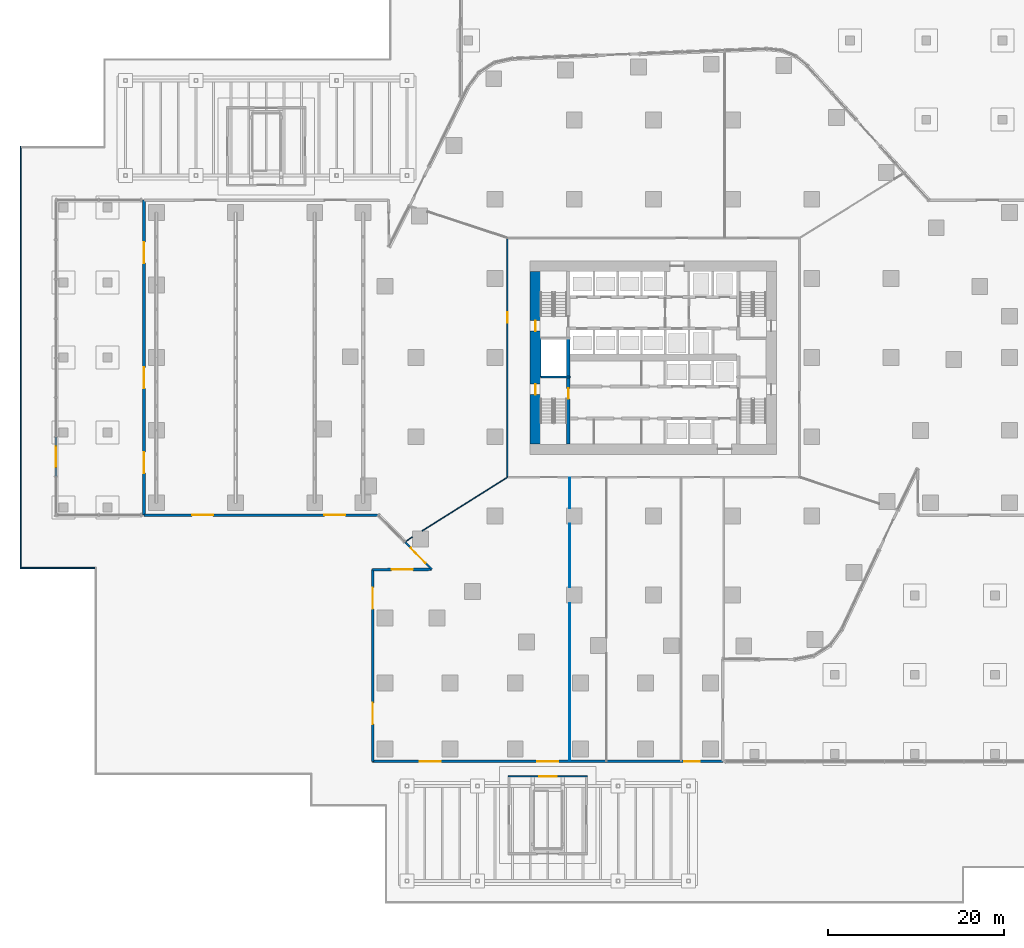
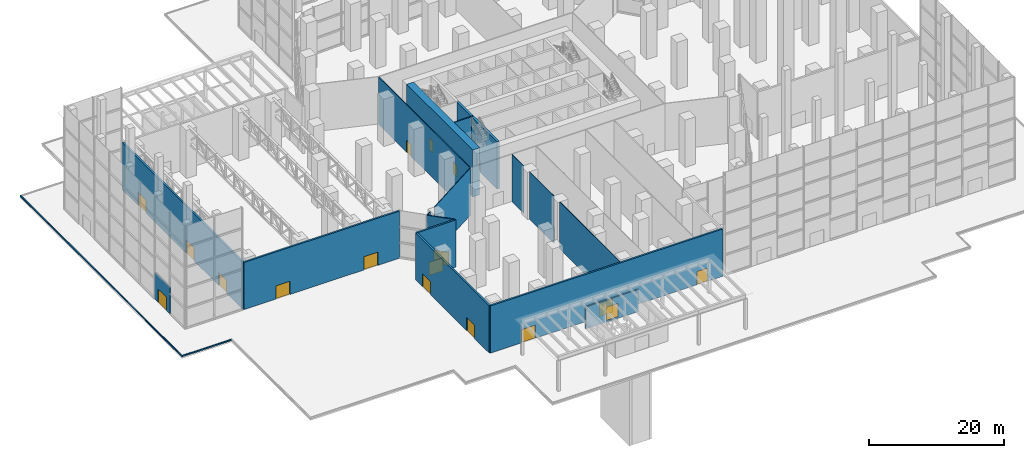
# One storey, part 28 of 40: 20 walls, 17 doors, 1 window, 18 openings.
"""IFC4 building model written with IfcOpenShell, lengths in metres."""

from ifc_helpers import new_model, si_unit, direction, frame, frame_2d, origin, place, context, subcontext, project, spatial, rectangle, extrude, material, layer, layer_set, type_object, element, fill, save


model = new_model("IFC4")

# Units and contexts
model_context = context("Model", 3, precision=1e-05, world=origin(), true_north=direction((0.0, 1.0)))
body_context = subcontext(model_context, "Body", "Model", "MODEL_VIEW")
ifc_project = project(units=[si_unit("LENGTHUNIT", "METRE"), si_unit("AREAUNIT", "SQUARE_METRE"), si_unit("VOLUMEUNIT", "CUBIC_METRE"), si_unit("PLANEANGLEUNIT", "RADIAN"), si_unit("MASSUNIT", "GRAM", prefix="KILO")], contexts=[model_context])

# Site, building, storey
site_placement = place(None, origin())
site = spatial("IfcSite", under=ifc_project, at=site_placement, CompositionType="ELEMENT")
building_placement = place(site_placement, origin())
building = spatial("IfcBuilding", under=site, at=building_placement, Name="Dongbaek Canopy Tower", CompositionType="ELEMENT")
storey_placement = place(building_placement, origin())
storey = spatial("IfcBuildingStorey", under=building, at=storey_placement, Name="L00", CompositionType="ELEMENT", Elevation=0.0)

# Wall, openings, doors
ifc_material_1 = material(Name="Concrete C60/75", Category="concrete")
ifc_layer_1 = layer(ifc_material_1, 1.199951171875)
ifc_layer_set_1 = layer_set([ifc_layer_1], Name="Core outer wall 1200 Concrete C60/75")
wall_type_1 = type_object("IfcWallType", Name="Core outer wall 1200 Concrete C60/75", PredefinedType="SHEAR", material=ifc_layer_set_1)
wall_1_placement = place(storey_placement, frame((-13.39990234375, -9.800048828125, 0.0), z_axis=(0.0, 0.0, 1.0), x_axis=(0.0, 1.0, 0.0)))
wall_1 = element("IfcWall", 1, at=wall_1_placement, inside=storey, type_object=wall_type_1, Name="Core wall", PredefinedType="SHEAR", context=body_context, shape_type="SweptSolid", body=[
    extrude(rectangle(XDim=19.60009765625, YDim=1.199951171875, at=frame_2d((9.800048828125, 0.0))), origin(), (0.0, 0.0, 1.0), 8.550048828125),
])
opening_1_placement = place(wall_1_placement, frame((12.800048828125, 0.0, 0.0)))
opening_1 = element("IfcOpeningElement", 2, at=opening_1_placement, cuts=wall_1, Name="Opening L00-D045", PredefinedType="OPENING", context=body_context, shape_type="SweptSolid", body=[
    extrude(rectangle(XDim=1.199951171875, YDim=2.10009765625, at=frame_2d((0.60009765625, 1.050048828125))), frame((0.0, 0.60986328125, 0.0), z_axis=(0.0, -1.0, 0.0), x_axis=(1.0, 0.0, 0.0)), (0.0, 0.0, 1.0), 1.219970703125),
])
opening_2_placement = place(wall_1_placement, frame((5.60009765625, 0.0, 0.0)))
opening_2 = element("IfcOpeningElement", 3, at=opening_2_placement, cuts=wall_1, Name="Opening L00-D046", PredefinedType="OPENING", context=body_context, shape_type="SweptSolid", body=[
    extrude(rectangle(XDim=1.199951171875, YDim=2.10009765625, at=frame_2d((0.60009765625, 1.050048828125))), frame((0.0, 0.60986328125, 0.0), z_axis=(0.0, -1.0, 0.0), x_axis=(1.0, 0.0, 0.0)), (0.0, 0.0, 1.0), 1.219970703125),
])
ifc_material_2 = material(Name="Steel", Category="steel")
door_type_1 = type_object("IfcDoorType", Name="Core stair exit door 1200 x 2100", OperationType="SINGLE_SWING_LEFT", PredefinedType="DOOR", material=ifc_material_2)
door_1_placement = place(opening_1_placement, origin())
door_1 = element("IfcDoor", 4, at=door_1_placement, inside=storey, type_object=door_type_1, Name="Stair C exit door", OperationType="SINGLE_SWING_LEFT", OverallHeight=2.10009765625, OverallWidth=1.199951171875, PredefinedType="DOOR", context=body_context, shape_type="SweptSolid", body=[
    extrude(rectangle(XDim=1.199951171875, YDim=2.10009765625, at=frame_2d((0.60009765625, 1.050048828125))), frame((0.0, 0.02490234375, 0.0), z_axis=(0.0, -1.0, 0.0), x_axis=(1.0, 0.0, 0.0)), (0.0, 0.0, 1.0), 0.050048828125),
])
fill(opening_1, door_1)
door_2_placement = place(opening_2_placement, origin())
door_2 = element("IfcDoor", 5, at=door_2_placement, inside=storey, type_object=door_type_1, Name="Stair D exit door", OperationType="SINGLE_SWING_LEFT", OverallHeight=2.10009765625, OverallWidth=1.199951171875, PredefinedType="DOOR", context=body_context, shape_type="SweptSolid", body=[
    extrude(rectangle(XDim=1.199951171875, YDim=2.10009765625, at=frame_2d((0.60009765625, 1.050048828125))), frame((0.0, 0.02490234375, 0.0), z_axis=(0.0, -1.0, 0.0), x_axis=(1.0, 0.0, 0.0)), (0.0, 0.0, 1.0), 0.050048828125),
])
fill(opening_2, door_2)

# Wall, opening, door
ifc_material_3 = material(Name="Aluminium window wall", Category="aluminium")
ifc_layer_2 = layer(ifc_material_3, 0.199951171875)
ifc_layer_set_2 = layer_set([ifc_layer_2], Name="Entrance wall 200")
wall_type_2 = type_object("IfcWallType", Name="Entrance wall 200", PredefinedType="SOLIDWALL", material=ifc_layer_set_2)
wall_2_placement = place(storey_placement, frame((-25.19775390625, -24.0771484375, 0.0), z_axis=(0.0, 0.0, 1.0), x_axis=(-0.698022531425, 0.716075796005, 0.0)))
wall_2 = element("IfcWall", 6, at=wall_2_placement, inside=storey, type_object=wall_type_2, Name="Entrance wall L00 F12 2", PredefinedType="SOLIDWALL", context=body_context, shape_type="SweptSolid", body=[
    extrude(rectangle(XDim=4.39501953125, YDim=0.199951171875, at=frame_2d((2.197509765625, 0.0))), origin(), (0.0, 0.0, 1.0), 8.550048828125),
])
opening_3_placement = place(wall_2_placement, frame((0.99755859375, 0.0, 0.0)))
opening_3 = element("IfcOpeningElement", 7, at=opening_3_placement, cuts=wall_2, Name="Opening L00-E07", PredefinedType="OPENING", context=body_context, shape_type="SweptSolid", body=[
    extrude(rectangle(XDim=2.39990234375, YDim=2.39990234375, at=frame_2d((1.199951171875, 1.199951171875))), frame((0.0, 0.10986328125, 0.0), z_axis=(0.0, -1.0, 0.0), x_axis=(1.0, 0.0, 0.0)), (0.0, 0.0, 1.0), 0.219970703125),
])
ifc_material_4 = material(Name="Clear glazing in aluminium frame", Category="aluminium")
door_type_2 = type_object("IfcDoorType", Name="Entrance door ED1 2400 x 2400", OperationType="DOUBLE_DOOR_SINGLE_SWING", PredefinedType="DOOR", material=ifc_material_4)
door_3_placement = place(opening_3_placement, origin())
door_3 = element("IfcDoor", 8, at=door_3_placement, inside=storey, type_object=door_type_2, Name="Exterior door L00-E07", OperationType="SINGLE_SWING_LEFT", OverallHeight=2.39990234375, OverallWidth=2.39990234375, PredefinedType="DOOR", context=body_context, shape_type="SweptSolid", body=[
    extrude(rectangle(XDim=2.39990234375, YDim=2.39990234375, at=frame_2d((1.199951171875, 1.199951171875))), frame((0.0, 0.02490234375, 0.0), z_axis=(0.0, -1.0, 0.0), x_axis=(1.0, 0.0, 0.0)), (0.0, 0.0, 1.0), 0.050048828125),
])
fill(opening_3, door_3)

# Wall, opening, window
wall_3_placement = place(storey_placement, frame((-16.5, -47.60009765625, 0.0), z_axis=(0.0, 0.0, 1.0), x_axis=(1.0, 0.0, 0.0)))
wall_3 = element("IfcWall", 9, at=wall_3_placement, inside=storey, type_object=wall_type_2, Name="Metro entrance A N wall", PredefinedType="SOLIDWALL", context=body_context, shape_type="SweptSolid", body=[
    extrude(rectangle(XDim=9.0, YDim=0.199951171875, at=frame_2d((4.5, 0.0))), origin(), (0.0, 0.0, 1.0), 4.0),
])
opening_4_placement = place(wall_3_placement, frame((3.5, 0.0, 0.300048828125)))
opening_4 = element("IfcOpeningElement", 10, at=opening_4_placement, cuts=wall_3, Name="Opening PW1", PredefinedType="OPENING", context=body_context, shape_type="SweptSolid", body=[
    extrude(rectangle(XDim=2.0, YDim=2.39990234375, at=frame_2d((1.0, 1.199951171875))), frame((0.0, 0.10986328125, 0.0), z_axis=(0.0, -1.0, 0.0), x_axis=(1.0, 0.0, 0.0)), (0.0, 0.0, 1.0), 0.219970703125),
])
ifc_material_5 = material(Name="Clear glazing in aluminium frame", Category="aluminium")
window_type = type_object("IfcWindowType", Name="Pavilion window PW1 2000 x 2400", PartitioningType="SINGLE_PANEL", PredefinedType="WINDOW", material=ifc_material_5)
window_placement = place(opening_4_placement, origin())
window = element("IfcWindow", 11, at=window_placement, inside=storey, type_object=window_type, Name="Metro entrance A window N", OverallHeight=2.39990234375, OverallWidth=2.0, PartitioningType="SINGLE_PANEL", PredefinedType="WINDOW", context=body_context, shape_type="SweptSolid", body=[
    extrude(rectangle(XDim=2.0, YDim=2.39990234375, at=frame_2d((1.0, 1.199951171875))), frame((0.0, 0.030029296875, 0.0), z_axis=(0.0, -1.0, 0.0), x_axis=(1.0, 0.0, 0.0)), (0.0, 0.0, 1.0), 0.06005859375),
])
fill(opening_4, window)

# Wall, opening, door
wall_4_placement = place(storey_placement, frame((-67.89990234375, -13.512451171875, 0.0), z_axis=(0.0, 0.0, 1.0), x_axis=(0.0, 1.0, 0.0)))
wall_4 = element("IfcWall", 12, at=wall_4_placement, inside=storey, type_object=wall_type_2, Name="Entrance wall L00 WW.7", PredefinedType="SOLIDWALL", context=body_context, shape_type="SweptSolid", body=[
    extrude(rectangle(XDim=4.487548828125, YDim=0.199951171875, at=frame_2d((2.24365234375, 0.0))), origin(), (0.0, 0.0, 1.0), 4.800048828125),
])
opening_5_placement = place(wall_4_placement, frame((1.043701171875, 0.0, 0.0)))
opening_5 = element("IfcOpeningElement", 13, at=opening_5_placement, cuts=wall_4, Name="Opening L00-P16", PredefinedType="OPENING", context=body_context, shape_type="SweptSolid", body=[
    extrude(rectangle(XDim=2.39990234375, YDim=2.39990234375, at=frame_2d((1.199951171875, 1.199951171875))), frame((0.0, 0.10986328125, 0.0), z_axis=(0.0, -1.0, 0.0), x_axis=(1.0, 0.0, 0.0)), (0.0, 0.0, 1.0), 0.219970703125),
])
door_4_placement = place(opening_5_placement, origin())
door_4 = element("IfcDoor", 14, at=door_4_placement, inside=storey, type_object=door_type_2, Name="Station entrance door L00-P16", OperationType="SINGLE_SWING_LEFT", OverallHeight=2.39990234375, OverallWidth=2.39990234375, PredefinedType="DOOR", context=body_context, shape_type="SweptSolid", body=[
    extrude(rectangle(XDim=2.39990234375, YDim=2.39990234375, at=frame_2d((1.199951171875, 1.199951171875))), frame((0.0, 0.02490234375, 0.0), z_axis=(0.0, -1.0, 0.0), x_axis=(1.0, 0.0, 0.0)), (0.0, 0.0, 1.0), 0.050048828125),
])
fill(opening_5, door_4)

ifc_material_6 = material(Name="Gypsum board partition, steel stud, 2 x 15 mm fire board", Category="steel")
ifc_layer_3 = layer(ifc_material_6, 0.14990234375)
ifc_layer_set_3 = layer_set([ifc_layer_3], Name="Fire-rated partition 150 gypsum board")
wall_type_3 = type_object("IfcWallType", Name="Fire-rated partition 150 gypsum board", PredefinedType="PARTITIONING", material=ifc_layer_set_3)
wall_5_placement = place(storey_placement, frame((-16.60009765625, -13.52490234375, 0.0), z_axis=(0.0, 0.0, 1.0), x_axis=(0.0, 1.0, 0.0)))
wall_5 = element("IfcWall", 15, at=wall_5_placement, inside=storey, type_object=wall_type_3, Name="Corridor partition", PredefinedType="PARTITIONING", context=body_context, shape_type="SweptSolid", body=[
    extrude(rectangle(XDim=27.0498046875, YDim=0.14990234375, at=frame_2d((13.52490234375, 0.0))), origin(), (0.0, 0.0, 1.0), 8.550048828125),
])
opening_6_placement = place(wall_5_placement, frame((17.467041015625, 0.0, 0.0)))
opening_6 = element("IfcOpeningElement", 16, at=opening_6_placement, cuts=wall_5, Name="Opening L00-D001", PredefinedType="OPENING", context=body_context, shape_type="SweptSolid", body=[
    extrude(rectangle(XDim=1.199951171875, YDim=2.10009765625, at=frame_2d((0.60009765625, 1.050048828125))), frame((0.0, 0.0849609375, 0.0), z_axis=(0.0, -1.0, 0.0), x_axis=(1.0, 0.0, 0.0)), (0.0, 0.0, 1.0), 0.169921875),
])
ifc_material_7 = material(Name="Timber veneered door leaf", Category="wood")
door_type_3 = type_object("IfcDoorType", Name="Room door 1200 x 2100", OperationType="SINGLE_SWING_LEFT", PredefinedType="DOOR", material=ifc_material_7)
door_5_placement = place(opening_6_placement, origin())
door_5 = element("IfcDoor", 17, at=door_5_placement, inside=storey, type_object=door_type_3, Name="Door L00-D001", OperationType="SINGLE_SWING_RIGHT", OverallHeight=2.10009765625, OverallWidth=1.199951171875, PredefinedType="DOOR", context=body_context, shape_type="SweptSolid", body=[
    extrude(rectangle(XDim=1.199951171875, YDim=2.10009765625, at=frame_2d((0.60009765625, 1.050048828125))), frame((0.0, 0.02490234375, 0.0), z_axis=(0.0, -1.0, 0.0), x_axis=(1.0, 0.0, 0.0)), (0.0, 0.0, 1.0), 0.050048828125),
])
fill(opening_6, door_5)

# Wall, openings, doors
ifc_material_8 = material(Name="Precast concrete C40/50 with pale metal cladding", Category="concrete")
ifc_layer_4 = layer(ifc_material_8, 0.300048828125)
ifc_layer_set_4 = layer_set([ifc_layer_4], Name="Hall wall 300")
wall_type_4 = type_object("IfcWallType", Name="Hall wall 300", PredefinedType="SOLIDWALL", material=ifc_layer_set_4)
wall_6_placement = place(storey_placement, frame((-57.89990234375, -17.89990234375, 0.0), z_axis=(0.0, 0.0, 1.0), x_axis=(0.0, 1.0, 0.0)))
wall_6 = element("IfcWall", 18, at=wall_6_placement, inside=storey, type_object=wall_type_4, Name="Hall wall L00 F10", PredefinedType="SOLIDWALL", context=body_context, shape_type="SweptSolid", body=[
    extrude(rectangle(XDim=35.7998046875, YDim=0.300048828125, at=frame_2d((17.89990234375, 0.0))), origin(), (0.0, 0.0, 1.0), 8.550048828125),
])
opening_7_placement = place(wall_6_placement, frame((28.63330078125, 0.0, 0.0)))
opening_7 = element("IfcOpeningElement", 19, at=opening_7_placement, cuts=wall_6, Name="Opening L00-X10", PredefinedType="OPENING", context=body_context, shape_type="SweptSolid", body=[
    extrude(rectangle(XDim=2.39990234375, YDim=2.39990234375, at=frame_2d((1.199951171875, 1.199951171875))), frame((0.0, 0.159912109375, 0.0), z_axis=(0.0, -1.0, 0.0), x_axis=(1.0, 0.0, 0.0)), (0.0, 0.0, 1.0), 0.320068359375),
])
opening_8_placement = place(wall_6_placement, frame((14.39990234375, 0.0, 0.0)))
opening_8 = element("IfcOpeningElement", 20, at=opening_8_placement, cuts=wall_6, Name="Opening L00-X11", PredefinedType="OPENING", context=body_context, shape_type="SweptSolid", body=[
    extrude(rectangle(XDim=2.39990234375, YDim=2.39990234375, at=frame_2d((1.199951171875, 1.199951171875))), frame((0.0, 0.159912109375, 0.0), z_axis=(0.0, -1.0, 0.0), x_axis=(1.0, 0.0, 0.0)), (0.0, 0.0, 1.0), 0.320068359375),
])
opening_9_placement = place(wall_6_placement, frame((4.7666015625, 0.0, 0.0)))
opening_9 = element("IfcOpeningElement", 21, at=opening_9_placement, cuts=wall_6, Name="Opening L00-X12", PredefinedType="OPENING", context=body_context, shape_type="SweptSolid", body=[
    extrude(rectangle(XDim=2.39990234375, YDim=2.39990234375, at=frame_2d((1.199951171875, 1.199951171875))), frame((0.0, 0.159912109375, 0.0), z_axis=(0.0, -1.0, 0.0), x_axis=(1.0, 0.0, 0.0)), (0.0, 0.0, 1.0), 0.320068359375),
])
door_6_placement = place(opening_7_placement, origin())
door_6 = element("IfcDoor", 22, at=door_6_placement, inside=storey, type_object=door_type_2, Name="Exterior door L00-X10", OperationType="SINGLE_SWING_LEFT", OverallHeight=2.39990234375, OverallWidth=2.39990234375, PredefinedType="DOOR", context=body_context, shape_type="SweptSolid", body=[
    extrude(rectangle(XDim=2.39990234375, YDim=2.39990234375, at=frame_2d((1.199951171875, 1.199951171875))), frame((0.0, 0.02490234375, 0.0), z_axis=(0.0, -1.0, 0.0), x_axis=(1.0, 0.0, 0.0)), (0.0, 0.0, 1.0), 0.050048828125),
])
fill(opening_7, door_6)
door_7_placement = place(opening_8_placement, origin())
door_7 = element("IfcDoor", 23, at=door_7_placement, inside=storey, type_object=door_type_2, Name="Exterior door L00-X11", OperationType="SINGLE_SWING_LEFT", OverallHeight=2.39990234375, OverallWidth=2.39990234375, PredefinedType="DOOR", context=body_context, shape_type="SweptSolid", body=[
    extrude(rectangle(XDim=2.39990234375, YDim=2.39990234375, at=frame_2d((1.199951171875, 1.199951171875))), frame((0.0, 0.02490234375, 0.0), z_axis=(0.0, -1.0, 0.0), x_axis=(1.0, 0.0, 0.0)), (0.0, 0.0, 1.0), 0.050048828125),
])
fill(opening_8, door_7)
door_8_placement = place(opening_9_placement, origin())
door_8 = element("IfcDoor", 24, at=door_8_placement, inside=storey, type_object=door_type_2, Name="Exterior door L00-X12", OperationType="SINGLE_SWING_LEFT", OverallHeight=2.39990234375, OverallWidth=2.39990234375, PredefinedType="DOOR", context=body_context, shape_type="SweptSolid", body=[
    extrude(rectangle(XDim=2.39990234375, YDim=2.39990234375, at=frame_2d((1.199951171875, 1.199951171875))), frame((0.0, 0.02490234375, 0.0), z_axis=(0.0, -1.0, 0.0), x_axis=(1.0, 0.0, 0.0)), (0.0, 0.0, 1.0), 0.050048828125),
])
fill(opening_9, door_8)

wall_7_placement = place(storey_placement, frame((-31.249755859375, -17.89990234375, 0.0), z_axis=(0.0, 0.0, 1.0), x_axis=(-1.0, 0.0, 0.0)))
wall_7 = element("IfcWall", 25, at=wall_7_placement, inside=storey, type_object=wall_type_4, Name="Hall wall L00 F11", PredefinedType="SOLIDWALL", context=body_context, shape_type="SweptSolid", body=[
    extrude(rectangle(XDim=26.650146484375, YDim=0.300048828125, at=frame_2d((13.3251953125, 0.0))), origin(), (0.0, 0.0, 1.0), 8.550048828125),
])
opening_10_placement = place(wall_7_placement, frame((18.78759765625, 0.0, 0.0)))
opening_10 = element("IfcOpeningElement", 26, at=opening_10_placement, cuts=wall_7, Name="Opening L00-X13", PredefinedType="OPENING", context=body_context, shape_type="SweptSolid", body=[
    extrude(rectangle(XDim=2.39990234375, YDim=2.39990234375, at=frame_2d((1.199951171875, 1.199951171875))), frame((0.0, 0.159912109375, 0.0), z_axis=(0.0, -1.0, 0.0), x_axis=(1.0, 0.0, 0.0)), (0.0, 0.0, 1.0), 0.320068359375),
])
opening_11_placement = place(wall_7_placement, frame((3.762451171875, 0.0, 0.0)))
opening_11 = element("IfcOpeningElement", 27, at=opening_11_placement, cuts=wall_7, Name="Opening L00-X14", PredefinedType="OPENING", context=body_context, shape_type="SweptSolid", body=[
    extrude(rectangle(XDim=2.39990234375, YDim=2.39990234375, at=frame_2d((1.199951171875, 1.199951171875))), frame((0.0, 0.159912109375, 0.0), z_axis=(0.0, -1.0, 0.0), x_axis=(1.0, 0.0, 0.0)), (0.0, 0.0, 1.0), 0.320068359375),
])
door_9_placement = place(opening_10_placement, origin())
door_9 = element("IfcDoor", 28, at=door_9_placement, inside=storey, type_object=door_type_2, Name="Exterior door L00-X13", OperationType="SINGLE_SWING_LEFT", OverallHeight=2.39990234375, OverallWidth=2.39990234375, PredefinedType="DOOR", context=body_context, shape_type="SweptSolid", body=[
    extrude(rectangle(XDim=2.39990234375, YDim=2.39990234375, at=frame_2d((1.199951171875, 1.199951171875))), frame((0.0, 0.02490234375, 0.0), z_axis=(0.0, -1.0, 0.0), x_axis=(1.0, 0.0, 0.0)), (0.0, 0.0, 1.0), 0.050048828125),
])
fill(opening_10, door_9)
door_10_placement = place(opening_11_placement, origin())
door_10 = element("IfcDoor", 29, at=door_10_placement, inside=storey, type_object=door_type_2, Name="Exterior door L00-X14", OperationType="SINGLE_SWING_LEFT", OverallHeight=2.39990234375, OverallWidth=2.39990234375, PredefinedType="DOOR", context=body_context, shape_type="SweptSolid", body=[
    extrude(rectangle(XDim=2.39990234375, YDim=2.39990234375, at=frame_2d((1.199951171875, 1.199951171875))), frame((0.0, 0.02490234375, 0.0), z_axis=(0.0, -1.0, 0.0), x_axis=(1.0, 0.0, 0.0)), (0.0, 0.0, 1.0), 0.050048828125),
])
fill(opening_11, door_10)

# Wall, opening, door
wall_8_placement = place(storey_placement, frame((-31.89990234375, -24.10009765625, 0.0), z_axis=(0.0, 0.0, 1.0), x_axis=(0.999994137621, 0.003424138458, 0.0)))
wall_8 = element("IfcWall", 30, at=wall_8_placement, inside=storey, type_object=wall_type_4, Name="Hall wall L00 F13", PredefinedType="SOLIDWALL", context=body_context, shape_type="SweptSolid", body=[
    extrude(rectangle(XDim=6.7021484375, YDim=0.300048828125, at=frame_2d((3.35107421875, 0.0))), origin(), (0.0, 0.0, 1.0), 8.550048828125),
])
opening_12_placement = place(wall_8_placement, frame((2.151123046875, 0.0, 0.0)))
opening_12 = element("IfcOpeningElement", 31, at=opening_12_placement, cuts=wall_8, Name="Opening L00-X15", PredefinedType="OPENING", context=body_context, shape_type="SweptSolid", body=[
    extrude(rectangle(XDim=2.39990234375, YDim=2.39990234375, at=frame_2d((1.199951171875, 1.199951171875))), frame((0.0, 0.159912109375, 0.0), z_axis=(0.0, -1.0, 0.0), x_axis=(1.0, 0.0, 0.0)), (0.0, 0.0, 1.0), 0.320068359375),
])
door_11_placement = place(opening_12_placement, origin())
door_11 = element("IfcDoor", 32, at=door_11_placement, inside=storey, type_object=door_type_2, Name="Exterior door L00-X15", OperationType="SINGLE_SWING_LEFT", OverallHeight=2.39990234375, OverallWidth=2.39990234375, PredefinedType="DOOR", context=body_context, shape_type="SweptSolid", body=[
    extrude(rectangle(XDim=2.39990234375, YDim=2.39990234375, at=frame_2d((1.199951171875, 1.199951171875))), frame((0.0, 0.02490234375, 0.0), z_axis=(0.0, -1.0, 0.0), x_axis=(1.0, 0.0, 0.0)), (0.0, 0.0, 1.0), 0.050048828125),
])
fill(opening_12, door_11)

# Wall, openings, doors
wall_9_placement = place(storey_placement, frame((-31.89990234375, -45.89990234375, 0.0), z_axis=(0.0, 0.0, 1.0), x_axis=(0.0, 1.0, 0.0)))
wall_9 = element("IfcWall", 33, at=wall_9_placement, inside=storey, type_object=wall_type_4, Name="Hall wall L00 F14", PredefinedType="SOLIDWALL", context=body_context, shape_type="SweptSolid", body=[
    extrude(rectangle(XDim=21.7998046875, YDim=0.300048828125, at=frame_2d((10.89990234375, 0.0))), origin(), (0.0, 0.0, 1.0), 8.550048828125),
])
opening_13_placement = place(wall_9_placement, frame((17.35009765625, 0.0, 0.0)))
opening_13 = element("IfcOpeningElement", 34, at=opening_13_placement, cuts=wall_9, Name="Opening L00-X16", PredefinedType="OPENING", context=body_context, shape_type="SweptSolid", body=[
    extrude(rectangle(XDim=2.39990234375, YDim=2.39990234375, at=frame_2d((1.199951171875, 1.199951171875))), frame((0.0, 0.159912109375, 0.0), z_axis=(0.0, -1.0, 0.0), x_axis=(1.0, 0.0, 0.0)), (0.0, 0.0, 1.0), 0.320068359375),
])
opening_14_placement = place(wall_9_placement, frame((4.25, 0.0, 0.0)))
opening_14 = element("IfcOpeningElement", 35, at=opening_14_placement, cuts=wall_9, Name="Opening L00-X17", PredefinedType="OPENING", context=body_context, shape_type="SweptSolid", body=[
    extrude(rectangle(XDim=2.39990234375, YDim=2.39990234375, at=frame_2d((1.199951171875, 1.199951171875))), frame((0.0, 0.159912109375, 0.0), z_axis=(0.0, -1.0, 0.0), x_axis=(1.0, 0.0, 0.0)), (0.0, 0.0, 1.0), 0.320068359375),
])
door_12_placement = place(opening_13_placement, origin())
door_12 = element("IfcDoor", 36, at=door_12_placement, inside=storey, type_object=door_type_2, Name="Exterior door L00-X16", OperationType="SINGLE_SWING_LEFT", OverallHeight=2.39990234375, OverallWidth=2.39990234375, PredefinedType="DOOR", context=body_context, shape_type="SweptSolid", body=[
    extrude(rectangle(XDim=2.39990234375, YDim=2.39990234375, at=frame_2d((1.199951171875, 1.199951171875))), frame((0.0, 0.02490234375, 0.0), z_axis=(0.0, -1.0, 0.0), x_axis=(1.0, 0.0, 0.0)), (0.0, 0.0, 1.0), 0.050048828125),
])
fill(opening_13, door_12)
door_13_placement = place(opening_14_placement, origin())
door_13 = element("IfcDoor", 37, at=door_13_placement, inside=storey, type_object=door_type_2, Name="Exterior door L00-X17", OperationType="SINGLE_SWING_LEFT", OverallHeight=2.39990234375, OverallWidth=2.39990234375, PredefinedType="DOOR", context=body_context, shape_type="SweptSolid", body=[
    extrude(rectangle(XDim=2.39990234375, YDim=2.39990234375, at=frame_2d((1.199951171875, 1.199951171875))), frame((0.0, 0.02490234375, 0.0), z_axis=(0.0, -1.0, 0.0), x_axis=(1.0, 0.0, 0.0)), (0.0, 0.0, 1.0), 0.050048828125),
])
fill(opening_14, door_13)

wall_10_placement = place(storey_placement, frame((7.89990234375, -45.89990234375, 0.0), z_axis=(0.0, 0.0, 1.0), x_axis=(-1.0, 0.0, 0.0)))
wall_10 = element("IfcWall", 38, at=wall_10_placement, inside=storey, type_object=wall_type_4, Name="Hall wall L00 F15", PredefinedType="SOLIDWALL", context=body_context, shape_type="SweptSolid", body=[
    extrude(rectangle(XDim=39.7998046875, YDim=0.300048828125, at=frame_2d((19.89990234375, 0.0))), origin(), (0.0, 0.0, 1.0), 8.550048828125),
])
opening_15_placement = place(wall_10_placement, frame((32.066650390625, 0.0, 0.0)))
opening_15 = element("IfcOpeningElement", 39, at=opening_15_placement, cuts=wall_10, Name="Opening L00-X18", PredefinedType="OPENING", context=body_context, shape_type="SweptSolid", body=[
    extrude(rectangle(XDim=2.39990234375, YDim=2.39990234375, at=frame_2d((1.199951171875, 1.199951171875))), frame((0.0, 0.159912109375, 0.0), z_axis=(0.0, -1.0, 0.0), x_axis=(1.0, 0.0, 0.0)), (0.0, 0.0, 1.0), 0.320068359375),
])
opening_16_placement = place(wall_10_placement, frame((18.699951171875, 0.0, 0.0)))
opening_16 = element("IfcOpeningElement", 40, at=opening_16_placement, cuts=wall_10, Name="Opening L00-X19", PredefinedType="OPENING", context=body_context, shape_type="SweptSolid", body=[
    extrude(rectangle(XDim=2.39990234375, YDim=2.39990234375, at=frame_2d((1.199951171875, 1.199951171875))), frame((0.0, 0.159912109375, 0.0), z_axis=(0.0, -1.0, 0.0), x_axis=(1.0, 0.0, 0.0)), (0.0, 0.0, 1.0), 0.320068359375),
])
opening_17_placement = place(wall_10_placement, frame((2.60009765625, 0.0, 0.0)))
opening_17 = element("IfcOpeningElement", 41, at=opening_17_placement, cuts=wall_10, Name="Opening L00-X20", PredefinedType="OPENING", context=body_context, shape_type="SweptSolid", body=[
    extrude(rectangle(XDim=1.800048828125, YDim=2.39990234375, at=frame_2d((0.89990234375, 1.199951171875))), frame((0.0, 0.159912109375, 0.0), z_axis=(0.0, -1.0, 0.0), x_axis=(1.0, 0.0, 0.0)), (0.0, 0.0, 1.0), 0.320068359375),
])
ifc_material_9 = material(Name="Clear glazing in aluminium frame", Category="aluminium")
door_type_4 = type_object("IfcDoorType", Name="Entrance door ED1 1799 x 2400", OperationType="DOUBLE_DOOR_SINGLE_SWING", PredefinedType="DOOR", material=ifc_material_9)
door_14_placement = place(opening_17_placement, origin())
door_14 = element("IfcDoor", 42, at=door_14_placement, inside=storey, type_object=door_type_4, Name="Exterior door L00-X20", OperationType="SINGLE_SWING_LEFT", OverallHeight=2.39990234375, OverallWidth=1.800048828125, PredefinedType="DOOR", context=body_context, shape_type="SweptSolid", body=[
    extrude(rectangle(XDim=1.800048828125, YDim=2.39990234375, at=frame_2d((0.89990234375, 1.199951171875))), frame((0.0, 0.02490234375, 0.0), z_axis=(0.0, -1.0, 0.0), x_axis=(1.0, 0.0, 0.0)), (0.0, 0.0, 1.0), 0.050048828125),
])
fill(opening_17, door_14)
door_15_placement = place(opening_15_placement, origin())
door_15 = element("IfcDoor", 43, at=door_15_placement, inside=storey, type_object=door_type_2, Name="Exterior door L00-X18", OperationType="SINGLE_SWING_LEFT", OverallHeight=2.39990234375, OverallWidth=2.39990234375, PredefinedType="DOOR", context=body_context, shape_type="SweptSolid", body=[
    extrude(rectangle(XDim=2.39990234375, YDim=2.39990234375, at=frame_2d((1.199951171875, 1.199951171875))), frame((0.0, 0.02490234375, 0.0), z_axis=(0.0, -1.0, 0.0), x_axis=(1.0, 0.0, 0.0)), (0.0, 0.0, 1.0), 0.050048828125),
])
fill(opening_15, door_15)
door_16_placement = place(opening_16_placement, origin())
door_16 = element("IfcDoor", 44, at=door_16_placement, inside=storey, type_object=door_type_2, Name="Exterior door L00-X19", OperationType="SINGLE_SWING_LEFT", OverallHeight=2.39990234375, OverallWidth=2.39990234375, PredefinedType="DOOR", context=body_context, shape_type="SweptSolid", body=[
    extrude(rectangle(XDim=2.39990234375, YDim=2.39990234375, at=frame_2d((1.199951171875, 1.199951171875))), frame((0.0, 0.02490234375, 0.0), z_axis=(0.0, -1.0, 0.0), x_axis=(1.0, 0.0, 0.0)), (0.0, 0.0, 1.0), 0.050048828125),
])
fill(opening_16, door_16)

# Walls
ifc_material_10 = material(Name="Gypsum board partition, steel stud, 2 x 12.5 mm board", Category="steel")
ifc_layer_5 = layer(ifc_material_10, 0.10009765625)
ifc_layer_set_5 = layer_set([ifc_layer_5], Name="Partition 100 gypsum board")
wall_type_5 = type_object("IfcWallType", Name="Partition 100 gypsum board", PredefinedType="PARTITIONING", material=ifc_layer_set_5)
wall_11_placement = place(storey_placement, frame((-28.2333984375, -20.93408203125, 0.0), z_axis=(0.0, 0.0, 1.0), x_axis=(0.845930337859, 0.533293412195, 0.0)))
element("IfcWall", 45, at=wall_11_placement, inside=storey, type_object=wall_type_5, Name="Partition", PredefinedType="PARTITIONING", context=body_context, shape_type="SweptSolid", body=[
    extrude(rectangle(XDim=1.01123046875, YDim=0.10009765625, at=frame_2d((0.505615234375, 0.0))), origin(), (0.0, 0.0, 1.0), 8.550048828125),
])
wall_12_placement = place(storey_placement, frame((-26.288818359375, -19.7080078125, 0.0), z_axis=(0.0, 0.0, 1.0), x_axis=(0.845914104745, 0.53331916091, 0.0)))
element("IfcWall", 46, at=wall_12_placement, inside=storey, type_object=wall_type_5, Name="Partition", PredefinedType="PARTITIONING", context=body_context, shape_type="SweptSolid", body=[
    extrude(rectangle(XDim=11.45361328125, YDim=0.10009765625, at=frame_2d((5.726806640625, 0.0))), origin(), (0.0, 0.0, 1.0), 8.550048828125),
])
wall_13_placement = place(storey_placement, frame((-9.5, -45.8798828125, 0.0), z_axis=(0.0, 0.0, 1.0), x_axis=(0.0, 1.0, 0.0)))
element("IfcWall", 47, at=wall_13_placement, inside=storey, type_object=wall_type_5, Name="Partition", PredefinedType="PARTITIONING", context=body_context, shape_type="SweptSolid", body=[
    extrude(rectangle(XDim=17.97998046875, YDim=0.10009765625, at=frame_2d((8.989990234375, 0.0))), origin(), (0.0, 0.0, 1.0), 8.550048828125),
])
wall_14_placement = place(storey_placement, frame((-9.5, -26.10009765625, 0.0), z_axis=(0.0, 0.0, 1.0), x_axis=(0.0, 1.0, 0.0)))
element("IfcWall", 48, at=wall_14_placement, inside=storey, type_object=wall_type_5, Name="Partition", PredefinedType="PARTITIONING", context=body_context, shape_type="SweptSolid", body=[
    extrude(rectangle(XDim=7.2001953125, YDim=0.10009765625, at=frame_2d((3.60009765625, 0.0))), origin(), (0.0, 0.0, 1.0), 8.550048828125),
])
wall_15_placement = place(storey_placement, frame((-9.5, -17.10009765625, 0.0), z_axis=(0.0, 0.0, 1.0), x_axis=(0.0, 1.0, 0.0)))
element("IfcWall", 49, at=wall_15_placement, inside=storey, type_object=wall_type_5, Name="Partition", PredefinedType="PARTITIONING", context=body_context, shape_type="SweptSolid", body=[
    extrude(rectangle(XDim=3.425048828125, YDim=0.10009765625, at=frame_2d((1.71240234375, 0.0))), origin(), (0.0, 0.0, 1.0), 8.550048828125),
])
ifc_material_11 = material(Name="Precast concrete C40/50 kerb", Category="concrete")
ifc_layer_6 = layer(ifc_material_11, 0.14990234375)
ifc_layer_set_6 = layer_set([ifc_layer_6], Name="Plaza kerb 150")
wall_type_6 = type_object("IfcWallType", Name="Plaza kerb 150", PredefinedType="SOLIDWALL", material=ifc_layer_set_6)
wall_16_placement = place(storey_placement, frame((-71.85009765625, -23.925048828125, 0.0), z_axis=(0.0, 0.0, 1.0), x_axis=(1.0, 0.0, 0.0)))
element("IfcWall", 50, at=wall_16_placement, inside=storey, type_object=wall_type_6, Name="Plaza kerb 12", PredefinedType="SOLIDWALL", context=body_context, shape_type="SweptSolid", body=[
    extrude(rectangle(XDim=8.35009765625, YDim=0.14990234375, at=frame_2d((4.175048828125, 0.0))), origin(), (0.0, 0.0, 1.0), 0.14990234375),
])
wall_17_placement = place(storey_placement, frame((-71.925048828125, -24.0, 0.0), z_axis=(0.0, 0.0, 1.0), x_axis=(0.0, 1.0, 0.0)))
element("IfcWall", 51, at=wall_17_placement, inside=storey, type_object=wall_type_6, Name="Plaza kerb 13", PredefinedType="SOLIDWALL", context=body_context, shape_type="SweptSolid", body=[
    extrude(rectangle(XDim=48.0, YDim=0.14990234375, at=frame_2d((24.0, 0.0))), origin(), (0.0, 0.0, 1.0), 0.14990234375),
])
ifc_material_12 = material(Name="Concrete C60/75", Category="concrete")
ifc_layer_7 = layer(ifc_material_12, 0.199951171875)
ifc_layer_set_7 = layer_set([ifc_layer_7], Name="Riser wall 200 Concrete C60/75")
wall_type_7 = type_object("IfcWallType", Name="Riser wall 200 Concrete C60/75", PredefinedType="SHEAR", material=ifc_layer_set_7)
wall_18_placement = place(storey_placement, frame((-9.449951171875, -2.199951171875, 0.0), z_axis=(0.0, 0.0, 1.0), x_axis=(-1.0, 0.0, 0.0)))
element("IfcWall", 52, at=wall_18_placement, inside=storey, type_object=wall_type_7, Name="Riser wall", PredefinedType="SHEAR", context=body_context, shape_type="SweptSolid", body=[
    extrude(rectangle(XDim=3.35009765625, YDim=0.199951171875, at=frame_2d((1.675048828125, 0.0))), origin(), (0.0, 0.0, 1.0), 8.550048828125),
])

# Wall, opening, door
ifc_material_13 = material(Name="Concrete C60/75", Category="concrete")
ifc_layer_8 = layer(ifc_material_13, 0.39990234375)
ifc_layer_set_8 = layer_set([ifc_layer_8], Name="Stair wall 400 Concrete C60/75")
wall_type_8 = type_object("IfcWallType", Name="Stair wall 400 Concrete C60/75", PredefinedType="SHEAR", material=ifc_layer_set_8)
wall_19_placement = place(storey_placement, frame((-9.64990234375, -9.800048828125, 0.0), z_axis=(0.0, 0.0, 1.0), x_axis=(0.0, 1.0, 0.0)))
wall_19 = element("IfcWall", 53, at=wall_19_placement, inside=storey, type_object=wall_type_8, Name="Stair wall", PredefinedType="SHEAR", context=body_context, shape_type="SweptSolid", body=[
    extrude(rectangle(XDim=7.5, YDim=0.39990234375, at=frame_2d((3.75, 0.0))), origin(), (0.0, 0.0, 1.0), 8.550048828125),
])
opening_18_placement = place(wall_19_placement, frame((5.10009765625, 0.0, 0.0)))
opening_18 = element("IfcOpeningElement", 54, at=opening_18_placement, cuts=wall_19, Name="Opening L00-D040", PredefinedType="OPENING", context=body_context, shape_type="SweptSolid", body=[
    extrude(rectangle(XDim=1.199951171875, YDim=2.10009765625, at=frame_2d((0.60009765625, 1.050048828125))), frame((0.0, 0.2099609375, 0.0), z_axis=(0.0, -1.0, 0.0), x_axis=(1.0, 0.0, 0.0)), (0.0, 0.0, 1.0), 0.419921875),
])
ifc_material_14 = material(Name="Steel", Category="steel")
door_type_5 = type_object("IfcDoorType", Name="Stair door 1200 x 2100", OperationType="SINGLE_SWING_LEFT", PredefinedType="DOOR", material=ifc_material_14)
door_17_placement = place(opening_18_placement, origin())
door_17 = element("IfcDoor", 55, at=door_17_placement, inside=storey, type_object=door_type_5, Name="Stair D door", OperationType="SINGLE_SWING_LEFT", OverallHeight=2.10009765625, OverallWidth=1.199951171875, PredefinedType="DOOR", context=body_context, shape_type="SweptSolid", body=[
    extrude(rectangle(XDim=1.199951171875, YDim=2.10009765625, at=frame_2d((0.60009765625, 1.050048828125))), frame((0.0, 0.02490234375, 0.0), z_axis=(0.0, -1.0, 0.0), x_axis=(1.0, 0.0, 0.0)), (0.0, 0.0, 1.0), 0.050048828125),
])
fill(opening_18, door_17)

# Wall
wall_20_placement = place(storey_placement, frame((-9.64990234375, -2.10009765625, 0.0), z_axis=(0.0, 0.0, 1.0), x_axis=(0.0, 1.0, 0.0)))
element("IfcWall", 56, at=wall_20_placement, inside=storey, type_object=wall_type_8, Name="Stair wall", PredefinedType="SHEAR", context=body_context, shape_type="SweptSolid", body=[
    extrude(rectangle(XDim=4.2001953125, YDim=0.39990234375, at=frame_2d((2.10009765625, 0.0))), origin(), (0.0, 0.0, 1.0), 8.550048828125),
])

save(model, "model.ifc")
